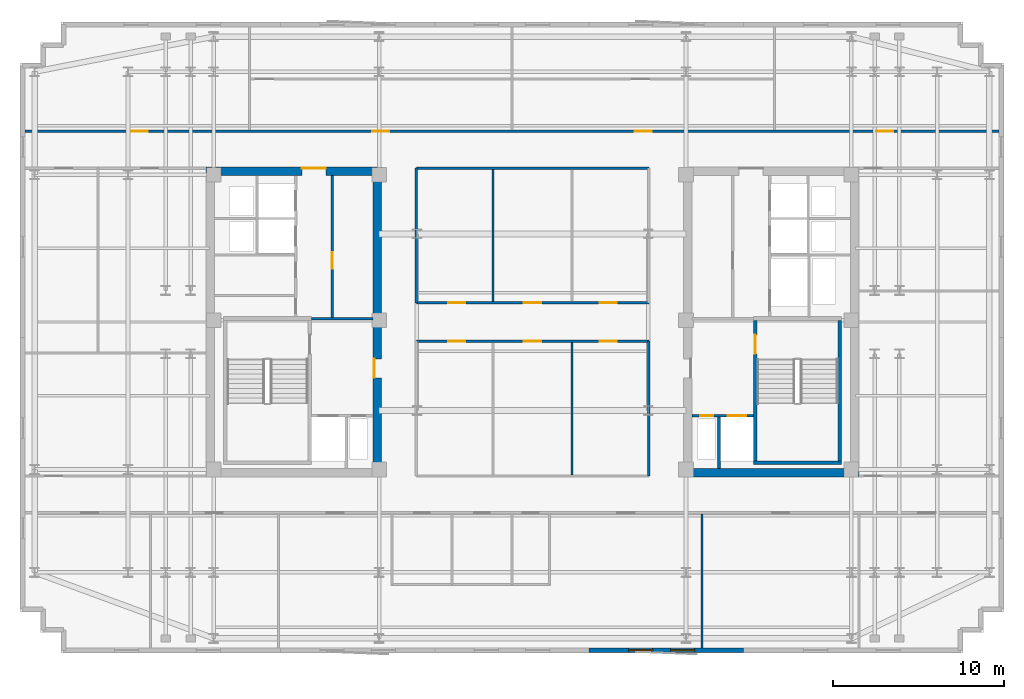
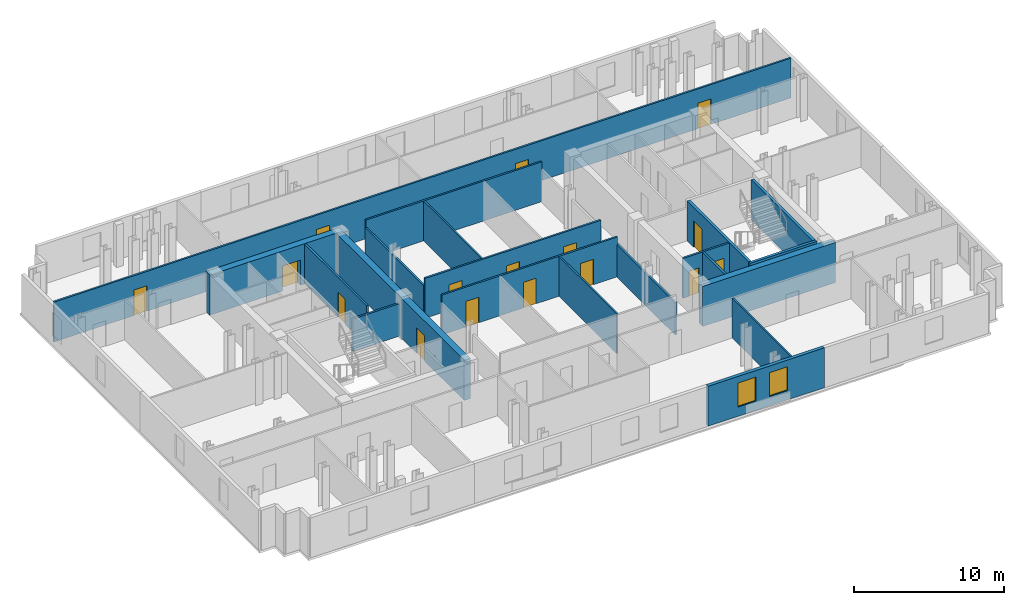
# One storey, part 5 of 9: 20 walls, 16 doors, 2 windows, 18 openings.
"""IFC4 building model written with IfcOpenShell, lengths in metres."""

from ifc_helpers import new_model, si_unit, direction, frame, frame_2d, origin, place, context, subcontext, project, spatial, rectangle, extrude, material, layer, layer_set, type_object, element, fill, save


model = new_model("IFC4")

# Units and contexts
model_context = context("Model", 3, precision=1e-05, world=origin(), true_north=direction((0.0, 1.0)))
body_context = subcontext(model_context, "Body", "Model", "MODEL_VIEW")
ifc_project = project(units=[si_unit("LENGTHUNIT", "METRE"), si_unit("AREAUNIT", "SQUARE_METRE"), si_unit("VOLUMEUNIT", "CUBIC_METRE"), si_unit("PLANEANGLEUNIT", "RADIAN"), si_unit("MASSUNIT", "GRAM", prefix="KILO")], contexts=[model_context])

# Site, building, storey
site_placement = place(None, origin())
site = spatial("IfcSite", under=ifc_project, at=site_placement, CompositionType="ELEMENT")
building_placement = place(site_placement, origin())
building = spatial("IfcBuilding", under=site, at=building_placement, Name="Velakula Bourse", CompositionType="ELEMENT")
storey_placement = place(building_placement, frame((0.0, 0.0, 232.64990234375)))
storey = spatial("IfcBuildingStorey", under=building, at=storey_placement, Name="L63", CompositionType="ELEMENT", Elevation=232.64990234375)

# Wall, opening, door
ifc_material_1 = material(Name="Concrete M50 (fck 50 MPa)", Category="concrete")
ifc_layer_1 = layer(ifc_material_1, 0.2099609375, Name="Concrete M50 (fck 50 MPa)", Category="concrete")
ifc_layer_set_1 = layer_set([ifc_layer_1], Name="Concrete M50 (fck 50 MPa)")
wall_type_1 = type_object("IfcWallType", Name="WL-CORE-210", PredefinedType="SHEAR", material=ifc_layer_set_1)
wall_1_placement = place(storey_placement, frame((12.9951171875, -8.10009765625, 0.0), z_axis=(0.0, 0.0, 1.0), x_axis=(0.0, 1.0, 0.0)))
wall_1 = element("IfcWall", 1, at=wall_1_placement, inside=storey, type_object=wall_type_1, Name="L63 Core E Stairwell Shear Wall IN", PredefinedType="SHEAR", context=body_context, shape_type="SweptSolid", body=[
    extrude(rectangle(XDim=8.2001953125, YDim=0.2099609375, at=frame_2d((4.10009765625, 0.0))), origin(), (0.0, 0.0, 1.0), 3.27001953125),
])
opening_1_placement = place(wall_1_placement, frame((6.25, 0.0, 0.0)))
opening_1 = element("IfcOpeningElement", 2, at=opening_1_placement, cuts=wall_1, Name="Opening D-STE1", PredefinedType="OPENING", context=body_context, shape_type="SweptSolid", body=[
    extrude(rectangle(XDim=1.10009765625, YDim=2.14990234375, at=frame_2d((0.550048828125, 1.074951171875))), frame((0.0, 0.114990234375, 0.0), z_axis=(0.0, -1.0, 0.0), x_axis=(1.0, 0.0, 0.0)), (0.0, 0.0, 1.0), 0.22998046875),
])
ifc_material_2 = material(Name="Galvanised painted hollow steel fire door", Category="steel")
door_type_1 = type_object("IfcDoorType", Name="DR-FD120-1100x2150", OperationType="NOTDEFINED", PredefinedType="DOOR", material=ifc_material_2)
door_1_placement = place(opening_1_placement, origin())
door_1 = element("IfcDoor", 3, at=door_1_placement, inside=storey, type_object=door_type_1, Name="L63 Stair ST-E1 Fire Door", OperationType="SINGLE_SWING_RIGHT", OverallHeight=2.14990234375, OverallWidth=1.10009765625, PredefinedType="DOOR", context=body_context, shape_type="SweptSolid", body=[
    extrude(rectangle(XDim=1.10009765625, YDim=2.14990234375, at=frame_2d((0.550048828125, 1.074951171875))), frame((0.0, 0.02490234375, 0.0), z_axis=(0.0, -1.0, 0.0), x_axis=(1.0, 0.0, 0.0)), (0.0, 0.0, 1.0), 0.050048828125),
])
fill(opening_1, door_1)

# Walls
wall_2_placement = place(storey_placement, frame((17.925048828125, -8.10009765625, 0.0), z_axis=(0.0, 0.0, 1.0), x_axis=(0.0, 1.0, 0.0)))
element("IfcWall", 4, at=wall_2_placement, inside=storey, type_object=wall_type_1, Name="L63 Core E Stairwell Shear Wall OUT", PredefinedType="SHEAR", context=body_context, shape_type="SweptSolid", body=[
    extrude(rectangle(XDim=8.2001953125, YDim=0.2099609375, at=frame_2d((4.10009765625, 0.0))), origin(), (0.0, 0.0, 1.0), 3.27001953125),
])
wall_3_placement = place(storey_placement, frame((12.889892578125, -8.205078125, 0.0), z_axis=(0.0, 0.0, 1.0), x_axis=(1.0, 0.0, 0.0)))
element("IfcWall", 5, at=wall_3_placement, inside=storey, type_object=wall_type_1, Name="L63 Core E Stairwell Shear Wall S", PredefinedType="SHEAR", context=body_context, shape_type="SweptSolid", body=[
    extrude(rectangle(XDim=5.14013671875, YDim=0.2099609375, at=frame_2d((2.570068359375, 0.0))), origin(), (0.0, 0.0, 1.0), 3.27001953125),
])

# Wall, opening, door
ifc_layer_2 = layer(ifc_material_1, 0.5, Name="Concrete M50 (fck 50 MPa)", Category="concrete")
ifc_layer_set_2 = layer_set([ifc_layer_2], Name="Concrete M50 (fck 50 MPa)")
wall_type_2 = type_object("IfcWallType", Name="WL-CORE-500", PredefinedType="SHEAR", material=ifc_layer_set_2)
wall_4_placement = place(storey_placement, frame((-19.050048828125, 8.800048828125, 0.0), z_axis=(0.0, 0.0, 1.0), x_axis=(1.0, 0.0, 0.0)))
wall_4 = element("IfcWall", 6, at=wall_4_placement, inside=storey, type_object=wall_type_2, Name="L63 Core W Shear Wall N", PredefinedType="SHEAR", context=body_context, shape_type="SweptSolid", body=[
    extrude(rectangle(XDim=10.25, YDim=0.5, at=frame_2d((5.125, 0.0))), origin(), (0.0, 0.0, 1.0), 3.27001953125),
])
opening_2_placement = place(wall_4_placement, frame((5.60009765625, 0.0, 0.0)))
opening_2 = element("IfcOpeningElement", 7, at=opening_2_placement, cuts=wall_4, Name="Opening D-LLW", PredefinedType="OPENING", context=body_context, shape_type="SweptSolid", body=[
    extrude(rectangle(XDim=1.39990234375, YDim=2.050048828125, at=frame_2d((0.699951171875, 1.02490234375))), frame((0.0, 0.260009765625, 0.0), z_axis=(0.0, -1.0, 0.0), x_axis=(1.0, 0.0, 0.0)), (0.0, 0.0, 1.0), 0.52001953125),
])
ifc_material_3 = material(Name="Fire-rated hardwood flush architectural door", Category="wood")
door_type_2 = type_object("IfcDoorType", Name="DR-DBL-FD60-1400", OperationType="DOUBLE_DOOR_SINGLE_SWING", PredefinedType="DOOR", material=ifc_material_3)
door_2_placement = place(opening_2_placement, origin())
door_2 = element("IfcDoor", 8, at=door_2_placement, inside=storey, type_object=door_type_2, Name="L63 Core W Lift Lobby Corridor Double Door", OperationType="DOUBLE_DOOR_SINGLE_SWING", OverallHeight=2.050048828125, OverallWidth=1.39990234375, PredefinedType="DOOR", context=body_context, shape_type="SweptSolid", body=[
    extrude(rectangle(XDim=1.39990234375, YDim=2.050048828125, at=frame_2d((0.699951171875, 1.02490234375))), frame((0.0, 0.19482421875, 0.0), z_axis=(0.0, -1.0, 0.0), x_axis=(1.0, 0.0, 0.0)), (0.0, 0.0, 1.0), 0.050048828125),
])
fill(opening_2, door_2)

wall_5_placement = place(storey_placement, frame((-9.050048828125, -8.550048828125, 0.0), z_axis=(0.0, 0.0, 1.0), x_axis=(0.0, 1.0, 0.0)))
wall_5 = element("IfcWall", 9, at=wall_5_placement, inside=storey, type_object=wall_type_2, Name="L63 Core W Shear Wall E", PredefinedType="SHEAR", context=body_context, shape_type="SweptSolid", body=[
    extrude(rectangle(XDim=17.10009765625, YDim=0.5, at=frame_2d((8.550048828125, 0.0))), origin(), (0.0, 0.0, 1.0), 3.27001953125),
])
opening_3_placement = place(wall_5_placement, frame((5.300048828125, 0.0, 0.0)))
opening_3 = element("IfcOpeningElement", 10, at=opening_3_placement, cuts=wall_5, Name="Opening D-FLW", PredefinedType="OPENING", context=body_context, shape_type="SweptSolid", body=[
    extrude(rectangle(XDim=1.10009765625, YDim=2.080078125, at=frame_2d((0.550048828125, 1.0400390625))), frame((0.0, 0.260009765625, 0.0), z_axis=(0.0, -1.0, 0.0), x_axis=(1.0, 0.0, 0.0)), (0.0, 0.0, 1.0), 0.52001953125),
])
door_type_3 = type_object("IfcDoorType", Name="DR-FD120-1100", OperationType="NOTDEFINED", PredefinedType="DOOR", material=ifc_material_2)
door_3_placement = place(opening_3_placement, origin())
door_3 = element("IfcDoor", 11, at=door_3_placement, inside=storey, type_object=door_type_3, Name="L63 Firefighting Lobby W Corridor Fire Door", OperationType="SINGLE_SWING_LEFT", OverallHeight=2.080078125, OverallWidth=1.10009765625, PredefinedType="DOOR", context=body_context, shape_type="SweptSolid", body=[
    extrude(rectangle(XDim=1.10009765625, YDim=2.080078125, at=frame_2d((0.550048828125, 1.0400390625))), frame((0.0, 0.205078125, 0.0), z_axis=(0.0, -1.0, 0.0), x_axis=(1.0, 0.0, 0.0)), (0.0, 0.0, 1.0), 0.050048828125),
])
fill(opening_3, door_3)

# Wall
wall_6_placement = place(storey_placement, frame((8.800048828125, -8.800048828125, 0.0), z_axis=(0.0, 0.0, 1.0), x_axis=(1.0, 0.0, 0.0)))
element("IfcWall", 12, at=wall_6_placement, inside=storey, type_object=wall_type_2, Name="L63 Core E Shear Wall S", PredefinedType="SHEAR", context=body_context, shape_type="SweptSolid", body=[
    extrude(rectangle(XDim=10.25, YDim=0.5, at=frame_2d((5.125, 0.0))), origin(), (0.0, 0.0, 1.0), 3.27001953125),
])

# Wall, openings, windows
ifc_material_4 = material(Name="Buff kilned clay facing brick masonry", Category="masonry")
ifc_layer_3 = layer(ifc_material_4, 0.260009765625, Name="Buff kilned clay facing brick masonry", Category="masonry")
ifc_layer_set_3 = layer_set([ifc_layer_3], Name="Buff kilned clay facing brick masonry")
wall_type_3 = type_object("IfcWallType", Name="WL-EXT-BRK-260", PredefinedType="STANDARD", material=ifc_layer_set_3)
wall_7_placement = place(storey_placement, frame((12.300048828125, -19.14990234375, 0.0), z_axis=(0.0, 0.0, 1.0), x_axis=(-1.0, 0.0, 0.0)))
wall_7 = element("IfcWall", 13, at=wall_7_placement, inside=storey, type_object=wall_type_3, Name="L63 S Brick Spandrel Wall B4", PredefinedType="STANDARD", context=body_context, shape_type="SweptSolid", body=[
    extrude(rectangle(XDim=9.0, YDim=0.260009765625, at=frame_2d((4.5, 0.0))), origin(), (0.0, 0.0, 1.0), 3.25),
])
opening_4_placement = place(wall_7_placement, frame((2.85009765625, 0.0, 0.760009765625)))
opening_4 = element("IfcOpeningElement", 14, at=opening_4_placement, cuts=wall_7, Name="Opening W-03", PredefinedType="OPENING", context=body_context, shape_type="SweptSolid", body=[
    extrude(rectangle(XDim=1.39990234375, YDim=1.949951171875, at=frame_2d((0.699951171875, 0.97509765625))), frame((0.0, 0.139892578125, 0.0), z_axis=(0.0, -1.0, 0.0), x_axis=(1.0, 0.0, 0.0)), (0.0, 0.0, 1.0), 0.280029296875),
])
opening_5_placement = place(wall_7_placement, frame((5.300048828125, 0.0, 0.760009765625)))
opening_5 = element("IfcOpeningElement", 15, at=opening_5_placement, cuts=wall_7, Name="Opening W-03", PredefinedType="OPENING", context=body_context, shape_type="SweptSolid", body=[
    extrude(rectangle(XDim=1.39990234375, YDim=1.949951171875, at=frame_2d((0.699951171875, 0.97509765625))), frame((0.0, 0.139892578125, 0.0), z_axis=(0.0, -1.0, 0.0), x_axis=(1.0, 0.0, 0.0)), (0.0, 0.0, 1.0), 0.280029296875),
])
ifc_material_5 = material(Name="Double-glazed solar-control Low-E glass", Category="glass")
window_type = type_object("IfcWindowType", Name="WIN-TWR-1400x2100", PartitioningType="SINGLE_PANEL", PredefinedType="WINDOW", material=ifc_material_5)
window_1_placement = place(opening_4_placement, origin())
window_1 = element("IfcWindow", 16, at=window_1_placement, inside=storey, type_object=window_type, Name="L63 Deep-Set Recessed Window 1", OverallHeight=1.949951171875, OverallWidth=1.39990234375, PartitioningType="SINGLE_PANEL", PredefinedType="WINDOW", context=body_context, shape_type="SweptSolid", body=[
    extrude(rectangle(XDim=1.39990234375, YDim=1.949951171875, at=frame_2d((0.699951171875, 0.97509765625))), frame((0.0, 0.030029296875, 0.0), z_axis=(0.0, -1.0, 0.0), x_axis=(1.0, 0.0, 0.0)), (0.0, 0.0, 1.0), 0.06005859375),
])
fill(opening_4, window_1)
window_2_placement = place(opening_5_placement, origin())
window_2 = element("IfcWindow", 17, at=window_2_placement, inside=storey, type_object=window_type, Name="L63 Deep-Set Recessed Window 2", OverallHeight=1.949951171875, OverallWidth=1.39990234375, PartitioningType="SINGLE_PANEL", PredefinedType="WINDOW", context=body_context, shape_type="SweptSolid", body=[
    extrude(rectangle(XDim=1.39990234375, YDim=1.949951171875, at=frame_2d((0.699951171875, 0.97509765625))), frame((0.0, 0.030029296875, 0.0), z_axis=(0.0, -1.0, 0.0), x_axis=(1.0, 0.0, 0.0)), (0.0, 0.0, 1.0), 0.06005859375),
])
fill(opening_5, window_2)

# Wall
ifc_material_6 = material(Name="Fire-rated double-layer gypsum drywall partition", Category="gypsum")
ifc_layer_4 = layer(ifc_material_6, 0.1201171875, Name="Fire-rated double-layer gypsum drywall partition", Category="gypsum")
ifc_layer_set_4 = layer_set([ifc_layer_4], Name="Fire-rated double-layer gypsum drywall partition")
wall_type_4 = type_object("IfcWallType", Name="WL-PART-120", PredefinedType="STANDARD", material=ifc_layer_set_4)
wall_8_placement = place(storey_placement, frame((9.89404296875, -19.02001953125, 0.0), z_axis=(0.0, 0.0, 1.0), x_axis=(0.0, 1.0, 0.0)))
element("IfcWall", 18, at=wall_8_placement, inside=storey, type_object=wall_type_4, Name="L63 Interior Partition WL-INT-L63-SR-D7", PredefinedType="STANDARD", context=body_context, shape_type="SweptSolid", body=[
    extrude(rectangle(XDim=7.830078125, YDim=0.1201171875, at=frame_2d((3.9150390625, 0.0))), origin(), (0.0, 0.0, 1.0), 3.25),
])

# Wall, openings, doors
ifc_layer_5 = layer(ifc_material_6, 0.139892578125, Name="Fire-rated double-layer gypsum drywall partition", Category="gypsum")
ifc_layer_set_5 = layer_set([ifc_layer_5], Name="Fire-rated double-layer gypsum drywall partition")
wall_type_5 = type_object("IfcWallType", Name="WL-PART-140", PredefinedType="STANDARD", material=ifc_layer_set_5)
wall_9_placement = place(storey_placement, frame((-29.6201171875, 11.1201171875, 0.0), z_axis=(0.0, 0.0, 1.0), x_axis=(1.0, 0.0, 0.0)))
wall_9 = element("IfcWall", 19, at=wall_9_placement, inside=storey, type_object=wall_type_5, Name="L63 Interior Partition WL-INT-L63-N-CORR", PredefinedType="STANDARD", context=body_context, shape_type="SweptSolid", body=[
    extrude(rectangle(XDim=56.840087890625, YDim=0.139892578125, at=frame_2d((28.419921875, 0.0))), origin(), (0.0, 0.0, 1.0), 3.25),
])
opening_6_placement = place(wall_9_placement, frame((6.178955078125, 0.0, 0.0)))
opening_6 = element("IfcOpeningElement", 20, at=opening_6_placement, cuts=wall_9, Name="Opening D-OF1", PredefinedType="OPENING", context=body_context, shape_type="SweptSolid", body=[
    extrude(rectangle(XDim=1.0, YDim=2.080078125, at=frame_2d((0.5, 1.0400390625))), frame((0.0, 0.079833984375, 0.0), z_axis=(0.0, -1.0, 0.0), x_axis=(1.0, 0.0, 0.0)), (0.0, 0.0, 1.0), 0.159912109375),
])
opening_7_placement = place(wall_9_placement, frame((20.262939453125, 0.0, 0.0)))
opening_7 = element("IfcOpeningElement", 21, at=opening_7_placement, cuts=wall_9, Name="Opening D-OF1", PredefinedType="OPENING", context=body_context, shape_type="SweptSolid", body=[
    extrude(rectangle(XDim=1.0, YDim=2.080078125, at=frame_2d((0.5, 1.0400390625))), frame((0.0, 0.079833984375, 0.0), z_axis=(0.0, -1.0, 0.0), x_axis=(1.0, 0.0, 0.0)), (0.0, 0.0, 1.0), 0.159912109375),
])
opening_8_placement = place(wall_9_placement, frame((35.576904296875, 0.0, 0.0)))
opening_8 = element("IfcOpeningElement", 22, at=opening_8_placement, cuts=wall_9, Name="Opening D-OF1", PredefinedType="OPENING", context=body_context, shape_type="SweptSolid", body=[
    extrude(rectangle(XDim=1.0, YDim=2.080078125, at=frame_2d((0.5, 1.0400390625))), frame((0.0, 0.079833984375, 0.0), z_axis=(0.0, -1.0, 0.0), x_axis=(1.0, 0.0, 0.0)), (0.0, 0.0, 1.0), 0.159912109375),
])
opening_9_placement = place(wall_9_placement, frame((49.660888671875, 0.0, 0.0)))
opening_9 = element("IfcOpeningElement", 23, at=opening_9_placement, cuts=wall_9, Name="Opening D-OF1", PredefinedType="OPENING", context=body_context, shape_type="SweptSolid", body=[
    extrude(rectangle(XDim=1.0, YDim=2.080078125, at=frame_2d((0.5, 1.0400390625))), frame((0.0, 0.079833984375, 0.0), z_axis=(0.0, -1.0, 0.0), x_axis=(1.0, 0.0, 0.0)), (0.0, 0.0, 1.0), 0.159912109375),
])
door_type_4 = type_object("IfcDoorType", Name="DR-OFF-1000", OperationType="NOTDEFINED", PredefinedType="DOOR", material=ifc_material_3)
door_4_placement = place(opening_6_placement, origin())
door_4 = element("IfcDoor", 24, at=door_4_placement, inside=storey, type_object=door_type_4, Name="L63 Interest-Rate Swaps Workspace Door", OperationType="SINGLE_SWING_LEFT", OverallHeight=2.080078125, OverallWidth=1.0, PredefinedType="DOOR", context=body_context, shape_type="SweptSolid", body=[
    extrude(rectangle(XDim=1.0, YDim=2.080078125, at=frame_2d((0.5, 1.0400390625))), frame((0.0, 0.02490234375, 0.0), z_axis=(0.0, -1.0, 0.0), x_axis=(1.0, 0.0, 0.0)), (0.0, 0.0, 1.0), 0.050048828125),
])
fill(opening_6, door_4)
door_5_placement = place(opening_7_placement, origin())
door_5 = element("IfcDoor", 25, at=door_5_placement, inside=storey, type_object=door_type_4, Name="L63 Clearing Committee Room Door", OperationType="SINGLE_SWING_RIGHT", OverallHeight=2.080078125, OverallWidth=1.0, PredefinedType="DOOR", context=body_context, shape_type="SweptSolid", body=[
    extrude(rectangle(XDim=1.0, YDim=2.080078125, at=frame_2d((0.5, 1.0400390625))), frame((0.0, 0.02490234375, 0.0), z_axis=(0.0, -1.0, 0.0), x_axis=(1.0, 0.0, 0.0)), (0.0, 0.0, 1.0), 0.050048828125),
])
fill(opening_7, door_5)
door_6_placement = place(opening_8_placement, origin())
door_6 = element("IfcDoor", 26, at=door_6_placement, inside=storey, type_object=door_type_4, Name="L63 Executive Boardroom Door", OperationType="SINGLE_SWING_RIGHT", OverallHeight=2.080078125, OverallWidth=1.0, PredefinedType="DOOR", context=body_context, shape_type="SweptSolid", body=[
    extrude(rectangle(XDim=1.0, YDim=2.080078125, at=frame_2d((0.5, 1.0400390625))), frame((0.0, 0.02490234375, 0.0), z_axis=(0.0, -1.0, 0.0), x_axis=(1.0, 0.0, 0.0)), (0.0, 0.0, 1.0), 0.050048828125),
])
fill(opening_8, door_6)
door_7_placement = place(opening_9_placement, origin())
door_7 = element("IfcDoor", 27, at=door_7_placement, inside=storey, type_object=door_type_4, Name="L63 Breakout Dining Lounge Door", OperationType="SINGLE_SWING_RIGHT", OverallHeight=2.080078125, OverallWidth=1.0, PredefinedType="DOOR", context=body_context, shape_type="SweptSolid", body=[
    extrude(rectangle(XDim=1.0, YDim=2.080078125, at=frame_2d((0.5, 1.0400390625))), frame((0.0, 0.02490234375, 0.0), z_axis=(0.0, -1.0, 0.0), x_axis=(1.0, 0.0, 0.0)), (0.0, 0.0, 1.0), 0.050048828125),
])
fill(opening_9, door_7)

wall_10_placement = place(storey_placement, frame((-6.780029296875, 1.1201171875, 0.0), z_axis=(0.0, 0.0, 1.0), x_axis=(1.0, 0.0, 0.0)))
wall_10 = element("IfcWall", 28, at=wall_10_placement, inside=storey, type_object=wall_type_5, Name="L63 Interior Partition WL-INT-L63-MN-IN", PredefinedType="STANDARD", context=body_context, shape_type="SweptSolid", body=[
    extrude(rectangle(XDim=13.56005859375, YDim=0.139892578125, at=frame_2d((6.780029296875, 0.0))), origin(), (0.0, 0.0, 1.0), 3.25),
])
opening_10_placement = place(wall_10_placement, frame((1.865966796875, 0.0, 0.0)))
opening_10 = element("IfcOpeningElement", 29, at=opening_10_placement, cuts=wall_10, Name="Opening D-OF1", PredefinedType="OPENING", context=body_context, shape_type="SweptSolid", body=[
    extrude(rectangle(XDim=1.0, YDim=2.080078125, at=frame_2d((0.5, 1.0400390625))), frame((0.0, 0.079833984375, 0.0), z_axis=(0.0, -1.0, 0.0), x_axis=(1.0, 0.0, 0.0)), (0.0, 0.0, 1.0), 0.159912109375),
])
opening_11_placement = place(wall_10_placement, frame((6.280029296875, 0.0, 0.0)))
opening_11 = element("IfcOpeningElement", 30, at=opening_11_placement, cuts=wall_10, Name="Opening D-OF1", PredefinedType="OPENING", context=body_context, shape_type="SweptSolid", body=[
    extrude(rectangle(XDim=1.0, YDim=2.080078125, at=frame_2d((0.5, 1.0400390625))), frame((0.0, 0.079833984375, 0.0), z_axis=(0.0, -1.0, 0.0), x_axis=(1.0, 0.0, 0.0)), (0.0, 0.0, 1.0), 0.159912109375),
])
opening_12_placement = place(wall_10_placement, frame((10.694091796875, 0.0, 0.0)))
opening_12 = element("IfcOpeningElement", 31, at=opening_12_placement, cuts=wall_10, Name="Opening D-OF1", PredefinedType="OPENING", context=body_context, shape_type="SweptSolid", body=[
    extrude(rectangle(XDim=1.0, YDim=2.080078125, at=frame_2d((0.5, 1.0400390625))), frame((0.0, 0.079833984375, 0.0), z_axis=(0.0, -1.0, 0.0), x_axis=(1.0, 0.0, 0.0)), (0.0, 0.0, 1.0), 0.159912109375),
])
door_8_placement = place(opening_10_placement, origin())
door_8 = element("IfcDoor", 32, at=door_8_placement, inside=storey, type_object=door_type_4, Name="L63 Margin Control Office Door", OperationType="SINGLE_SWING_LEFT", OverallHeight=2.080078125, OverallWidth=1.0, PredefinedType="DOOR", context=body_context, shape_type="SweptSolid", body=[
    extrude(rectangle(XDim=1.0, YDim=2.080078125, at=frame_2d((0.5, 1.0400390625))), frame((0.0, 0.02490234375, 0.0), z_axis=(0.0, -1.0, 0.0), x_axis=(1.0, 0.0, 0.0)), (0.0, 0.0, 1.0), 0.050048828125),
])
fill(opening_10, door_8)
door_9_placement = place(opening_11_placement, origin())
door_9 = element("IfcDoor", 33, at=door_9_placement, inside=storey, type_object=door_type_4, Name="L63 Treasury Operations Office Door", OperationType="SINGLE_SWING_RIGHT", OverallHeight=2.080078125, OverallWidth=1.0, PredefinedType="DOOR", context=body_context, shape_type="SweptSolid", body=[
    extrude(rectangle(XDim=1.0, YDim=2.080078125, at=frame_2d((0.5, 1.0400390625))), frame((0.0, 0.02490234375, 0.0), z_axis=(0.0, -1.0, 0.0), x_axis=(1.0, 0.0, 0.0)), (0.0, 0.0, 1.0), 0.050048828125),
])
fill(opening_11, door_9)
door_10_placement = place(opening_12_placement, origin())
door_10 = element("IfcDoor", 34, at=door_10_placement, inside=storey, type_object=door_type_4, Name="L63 Bullion Assay Office Door", OperationType="SINGLE_SWING_LEFT", OverallHeight=2.080078125, OverallWidth=1.0, PredefinedType="DOOR", context=body_context, shape_type="SweptSolid", body=[
    extrude(rectangle(XDim=1.0, YDim=2.080078125, at=frame_2d((0.5, 1.0400390625))), frame((0.0, 0.02490234375, 0.0), z_axis=(0.0, -1.0, 0.0), x_axis=(1.0, 0.0, 0.0)), (0.0, 0.0, 1.0), 0.050048828125),
])
fill(opening_12, door_10)

# Walls
wall_11_placement = place(storey_placement, frame((-6.780029296875, 8.97998046875, 0.0), z_axis=(0.0, 0.0, 1.0), x_axis=(1.0, 0.0, 0.0)))
element("IfcWall", 35, at=wall_11_placement, inside=storey, type_object=wall_type_5, Name="L63 Interior Partition WL-INT-L63-MN-OUT", PredefinedType="STANDARD", context=body_context, shape_type="SweptSolid", body=[
    extrude(rectangle(XDim=13.56005859375, YDim=0.139892578125, at=frame_2d((6.780029296875, 0.0))), origin(), (0.0, 0.0, 1.0), 3.25),
])
wall_12_placement = place(storey_placement, frame((-6.780029296875, 1.1201171875, 0.0), z_axis=(0.0, 0.0, 1.0), x_axis=(0.0, 1.0, 0.0)))
element("IfcWall", 36, at=wall_12_placement, inside=storey, type_object=wall_type_5, Name="L63 Interior Partition WL-INT-L63-MN-W", PredefinedType="STANDARD", context=body_context, shape_type="SweptSolid", body=[
    extrude(rectangle(XDim=7.85986328125, YDim=0.139892578125, at=frame_2d((3.929931640625, 0.0))), origin(), (0.0, 0.0, 1.0), 2.64501953125),
])
wall_13_placement = place(storey_placement, frame((-2.300048828125, 1.18994140625, 0.0), z_axis=(0.0, 0.0, 1.0), x_axis=(0.0, 1.0, 0.0)))
element("IfcWall", 37, at=wall_13_placement, inside=storey, type_object=wall_type_5, Name="L63 Interior Partition WL-INT-L63-MN-V1", PredefinedType="STANDARD", context=body_context, shape_type="SweptSolid", body=[
    extrude(rectangle(XDim=7.719970703125, YDim=0.1201171875, at=frame_2d((3.85986328125, 0.0))), origin(), (0.0, 0.0, 1.0), 3.25),
])

# Wall, openings, doors
wall_14_placement = place(storey_placement, frame((-6.780029296875, -1.1201171875, 0.0), z_axis=(0.0, 0.0, 1.0), x_axis=(1.0, 0.0, 0.0)))
wall_14 = element("IfcWall", 38, at=wall_14_placement, inside=storey, type_object=wall_type_5, Name="L63 Interior Partition WL-INT-L63-MS-IN", PredefinedType="STANDARD", context=body_context, shape_type="SweptSolid", body=[
    extrude(rectangle(XDim=13.56005859375, YDim=0.139892578125, at=frame_2d((6.780029296875, 0.0))), origin(), (0.0, 0.0, 1.0), 3.25),
])
opening_13_placement = place(wall_14_placement, frame((1.865966796875, 0.0, 0.0)))
opening_13 = element("IfcOpeningElement", 39, at=opening_13_placement, cuts=wall_14, Name="Opening D-OF1", PredefinedType="OPENING", context=body_context, shape_type="SweptSolid", body=[
    extrude(rectangle(XDim=1.0, YDim=2.080078125, at=frame_2d((0.5, 1.0400390625))), frame((0.0, 0.079833984375, 0.0), z_axis=(0.0, -1.0, 0.0), x_axis=(1.0, 0.0, 0.0)), (0.0, 0.0, 1.0), 0.159912109375),
])
opening_14_placement = place(wall_14_placement, frame((6.280029296875, 0.0, 0.0)))
opening_14 = element("IfcOpeningElement", 40, at=opening_14_placement, cuts=wall_14, Name="Opening D-OF1", PredefinedType="OPENING", context=body_context, shape_type="SweptSolid", body=[
    extrude(rectangle(XDim=1.0, YDim=2.080078125, at=frame_2d((0.5, 1.0400390625))), frame((0.0, 0.079833984375, 0.0), z_axis=(0.0, -1.0, 0.0), x_axis=(1.0, 0.0, 0.0)), (0.0, 0.0, 1.0), 0.159912109375),
])
opening_15_placement = place(wall_14_placement, frame((10.694091796875, 0.0, 0.0)))
opening_15 = element("IfcOpeningElement", 41, at=opening_15_placement, cuts=wall_14, Name="Opening D-OF1", PredefinedType="OPENING", context=body_context, shape_type="SweptSolid", body=[
    extrude(rectangle(XDim=1.0, YDim=2.080078125, at=frame_2d((0.5, 1.0400390625))), frame((0.0, 0.079833984375, 0.0), z_axis=(0.0, -1.0, 0.0), x_axis=(1.0, 0.0, 0.0)), (0.0, 0.0, 1.0), 0.159912109375),
])
door_11_placement = place(opening_13_placement, origin())
door_11 = element("IfcDoor", 42, at=door_11_placement, inside=storey, type_object=door_type_4, Name="L63 Legal Counsel Office Door", OperationType="SINGLE_SWING_RIGHT", OverallHeight=2.080078125, OverallWidth=1.0, PredefinedType="DOOR", context=body_context, shape_type="SweptSolid", body=[
    extrude(rectangle(XDim=1.0, YDim=2.080078125, at=frame_2d((0.5, 1.0400390625))), frame((0.0, 0.02490234375, 0.0), z_axis=(0.0, -1.0, 0.0), x_axis=(1.0, 0.0, 0.0)), (0.0, 0.0, 1.0), 0.050048828125),
])
fill(opening_13, door_11)
door_12_placement = place(opening_14_placement, origin())
door_12 = element("IfcDoor", 43, at=door_12_placement, inside=storey, type_object=door_type_4, Name="L63 Issuer Relations Office Door", OperationType="SINGLE_SWING_LEFT", OverallHeight=2.080078125, OverallWidth=1.0, PredefinedType="DOOR", context=body_context, shape_type="SweptSolid", body=[
    extrude(rectangle(XDim=1.0, YDim=2.080078125, at=frame_2d((0.5, 1.0400390625))), frame((0.0, 0.02490234375, 0.0), z_axis=(0.0, -1.0, 0.0), x_axis=(1.0, 0.0, 0.0)), (0.0, 0.0, 1.0), 0.050048828125),
])
fill(opening_14, door_12)
door_13_placement = place(opening_15_placement, origin())
door_13 = element("IfcDoor", 44, at=door_13_placement, inside=storey, type_object=door_type_4, Name="L63 Asset Allocation Office Door", OperationType="SINGLE_SWING_RIGHT", OverallHeight=2.080078125, OverallWidth=1.0, PredefinedType="DOOR", context=body_context, shape_type="SweptSolid", body=[
    extrude(rectangle(XDim=1.0, YDim=2.080078125, at=frame_2d((0.5, 1.0400390625))), frame((0.0, 0.02490234375, 0.0), z_axis=(0.0, -1.0, 0.0), x_axis=(1.0, 0.0, 0.0)), (0.0, 0.0, 1.0), 0.050048828125),
])
fill(opening_15, door_13)

# Walls
wall_15_placement = place(storey_placement, frame((6.780029296875, -8.97998046875, 0.0), z_axis=(0.0, 0.0, 1.0), x_axis=(0.0, 1.0, 0.0)))
element("IfcWall", 45, at=wall_15_placement, inside=storey, type_object=wall_type_5, Name="L63 Interior Partition WL-INT-L63-MS-E", PredefinedType="STANDARD", context=body_context, shape_type="SweptSolid", body=[
    extrude(rectangle(XDim=7.85986328125, YDim=0.139892578125, at=frame_2d((3.929931640625, 0.0))), origin(), (0.0, 0.0, 1.0), 2.64501953125),
])
wall_16_placement = place(storey_placement, frame((2.300048828125, -8.909912109375, 0.0), z_axis=(0.0, 0.0, 1.0), x_axis=(0.0, 1.0, 0.0)))
element("IfcWall", 46, at=wall_16_placement, inside=storey, type_object=wall_type_5, Name="L63 Interior Partition WL-INT-L63-MS-V2", PredefinedType="STANDARD", context=body_context, shape_type="SweptSolid", body=[
    extrude(rectangle(XDim=7.719970703125, YDim=0.1201171875, at=frame_2d((3.85986328125, 0.0))), origin(), (0.0, 0.0, 1.0), 3.25),
])
ifc_material_7 = material(Name="Autoclaved aerated concrete blockwork masonry", Category="masonry")
ifc_layer_6 = layer(ifc_material_7, 0.14990234375, Name="Autoclaved aerated concrete blockwork masonry", Category="masonry")
ifc_layer_set_6 = layer_set([ifc_layer_6], Name="Autoclaved aerated concrete blockwork masonry")
wall_type_6 = type_object("IfcWallType", Name="WL-SHAFT-150", PredefinedType="STANDARD", material=ifc_layer_set_6)
wall_17_placement = place(storey_placement, frame((-12.889892578125, 0.18994140625, 0.0), z_axis=(0.0, 0.0, 1.0), x_axis=(1.0, 0.0, 0.0)))
element("IfcWall", 47, at=wall_17_placement, inside=storey, type_object=wall_type_6, Name="L63 Interior Partition WL-CRW-L63-FF-TOP", PredefinedType="STANDARD", context=body_context, shape_type="SweptSolid", body=[
    extrude(rectangle(XDim=3.58984375, YDim=0.14990234375, at=frame_2d((1.794921875, 0.0))), origin(), (0.0, 0.0, 1.0), 2.64501953125),
])

# Wall, opening, door
wall_18_placement = place(storey_placement, frame((-11.675048828125, 0.27001953125, 0.0), z_axis=(0.0, 0.0, 1.0), x_axis=(0.0, 1.0, 0.0)))
wall_18 = element("IfcWall", 48, at=wall_18_placement, inside=storey, type_object=wall_type_6, Name="L63 Interior Partition WL-CRW-L63-BANK-F", PredefinedType="STANDARD", context=body_context, shape_type="SweptSolid", body=[
    extrude(rectangle(XDim=8.280029296875, YDim=0.14990234375, at=frame_2d((4.14013671875, 0.0))), origin(), (0.0, 0.0, 1.0), 3.25),
])
opening_16_placement = place(wall_18_placement, frame((2.85009765625, 0.0, 0.0)))
opening_16 = element("IfcOpeningElement", 49, at=opening_16_placement, cuts=wall_18, Name="Opening D-RC4", PredefinedType="OPENING", context=body_context, shape_type="SweptSolid", body=[
    extrude(rectangle(XDim=0.949951171875, YDim=2.050048828125, at=frame_2d((0.47509765625, 1.02490234375))), frame((0.0, 0.0849609375, 0.0), z_axis=(0.0, -1.0, 0.0), x_axis=(1.0, 0.0, 0.0)), (0.0, 0.0, 1.0), 0.169921875),
])
door_type_5 = type_object("IfcDoorType", Name="DR-FD60-950x2050", OperationType="NOTDEFINED", PredefinedType="DOOR", material=ifc_material_3)
door_14_placement = place(opening_16_placement, origin())
door_14 = element("IfcDoor", 50, at=door_14_placement, inside=storey, type_object=door_type_5, Name="L63 Reclaimed Multi-Bay Archive Room Door", OperationType="SINGLE_SWING_RIGHT", OverallHeight=2.050048828125, OverallWidth=0.949951171875, PredefinedType="DOOR", context=body_context, shape_type="SweptSolid", body=[
    extrude(rectangle(XDim=0.949951171875, YDim=2.050048828125, at=frame_2d((0.47509765625, 1.02490234375))), frame((0.0, 0.02490234375, 0.0), z_axis=(0.0, -1.0, 0.0), x_axis=(1.0, 0.0, 0.0)), (0.0, 0.0, 1.0), 0.050048828125),
])
fill(opening_16, door_14)

# Wall, openings, doors
wall_19_placement = place(storey_placement, frame((9.300048828125, -5.47509765625, 0.0), z_axis=(0.0, 0.0, 1.0), x_axis=(1.0, 0.0, 0.0)))
wall_19 = element("IfcWall", 51, at=wall_19_placement, inside=storey, type_object=wall_type_6, Name="L63 Interior Partition WL-CRE-L63-FFL-N", PredefinedType="STANDARD", context=body_context, shape_type="SweptSolid", body=[
    extrude(rectangle(XDim=3.594970703125, YDim=0.14990234375, at=frame_2d((1.79736328125, 0.0))), origin(), (0.0, 0.0, 1.0), 3.25),
])
opening_17_placement = place(wall_19_placement, frame((2.074951171875, 0.0, 0.0)))
opening_17 = element("IfcOpeningElement", 52, at=opening_17_placement, cuts=wall_19, Name="Opening LD-FFL-2", PredefinedType="OPENING", context=body_context, shape_type="SweptSolid", body=[
    extrude(rectangle(XDim=1.10009765625, YDim=2.14990234375, at=frame_2d((0.550048828125, 1.074951171875))), frame((0.0, 0.0849609375, 0.0), z_axis=(0.0, -1.0, 0.0), x_axis=(1.0, 0.0, 0.0)), (0.0, 0.0, 1.0), 0.169921875),
])
opening_18_placement = place(wall_19_placement, frame((0.47509765625, 0.0, 0.0)))
opening_18 = element("IfcOpeningElement", 53, at=opening_18_placement, cuts=wall_19, Name="Opening D-RS1", PredefinedType="OPENING", context=body_context, shape_type="SweptSolid", body=[
    extrude(rectangle(XDim=0.75, YDim=2.050048828125, at=frame_2d((0.375, 1.02490234375))), frame((0.0, 0.0849609375, 0.0), z_axis=(0.0, -1.0, 0.0), x_axis=(1.0, 0.0, 0.0)), (0.0, 0.0, 1.0), 0.169921875),
])
door_type_6 = type_object("IfcDoorType", Name="DR-RISER-800", OperationType="NOTDEFINED", PredefinedType="DOOR", material=ifc_material_2)
door_15_placement = place(opening_18_placement, origin())
door_15 = element("IfcDoor", 54, at=door_15_placement, inside=storey, type_object=door_type_6, Name="L63 Fire Riser Access Door", OperationType="SINGLE_SWING_LEFT", OverallHeight=2.050048828125, OverallWidth=0.75, PredefinedType="DOOR", context=body_context, shape_type="SweptSolid", body=[
    extrude(rectangle(XDim=0.75, YDim=2.050048828125, at=frame_2d((0.375, 1.02490234375))), frame((0.0, 0.02490234375, 0.0), z_axis=(0.0, -1.0, 0.0), x_axis=(1.0, 0.0, 0.0)), (0.0, 0.0, 1.0), 0.050048828125),
])
fill(opening_18, door_15)
ifc_material_8 = material(Name="Brushed grade 316 stainless steel", Category="steel")
door_type_7 = type_object("IfcDoorType", Name="DR-SLIDE-FFL-1100", OperationType="DOUBLE_DOOR_SLIDING", PredefinedType="DOOR", material=ifc_material_8)
door_16_placement = place(opening_17_placement, origin())
door_16 = element("IfcDoor", 55, at=door_16_placement, inside=storey, type_object=door_type_7, Name="L63 Firefighting Lift FFL-2 Sliding Landing Door", OperationType="DOUBLE_DOOR_SLIDING", OverallHeight=2.14990234375, OverallWidth=1.10009765625, PredefinedType="DOOR", context=body_context, shape_type="SweptSolid", body=[
    extrude(rectangle(XDim=1.10009765625, YDim=2.14990234375, at=frame_2d((0.550048828125, 1.074951171875))), frame((0.0, 0.02490234375, 0.0), z_axis=(0.0, -1.0, 0.0), x_axis=(1.0, 0.0, 0.0)), (0.0, 0.0, 1.0), 0.050048828125),
])
fill(opening_17, door_16)

# Wall
wall_20_placement = place(storey_placement, frame((10.875, -8.550048828125, 0.0), z_axis=(0.0, 0.0, 1.0), x_axis=(0.0, 1.0, 0.0)))
element("IfcWall", 56, at=wall_20_placement, inside=storey, type_object=wall_type_6, Name="L63 Interior Partition WL-CRE-L63-FR-DIV", PredefinedType="STANDARD", context=body_context, shape_type="SweptSolid", body=[
    extrude(rectangle(XDim=3.0, YDim=0.14990234375, at=frame_2d((1.5, 0.0))), origin(), (0.0, 0.0, 1.0), 3.25),
])

save(model, "model.ifc")
